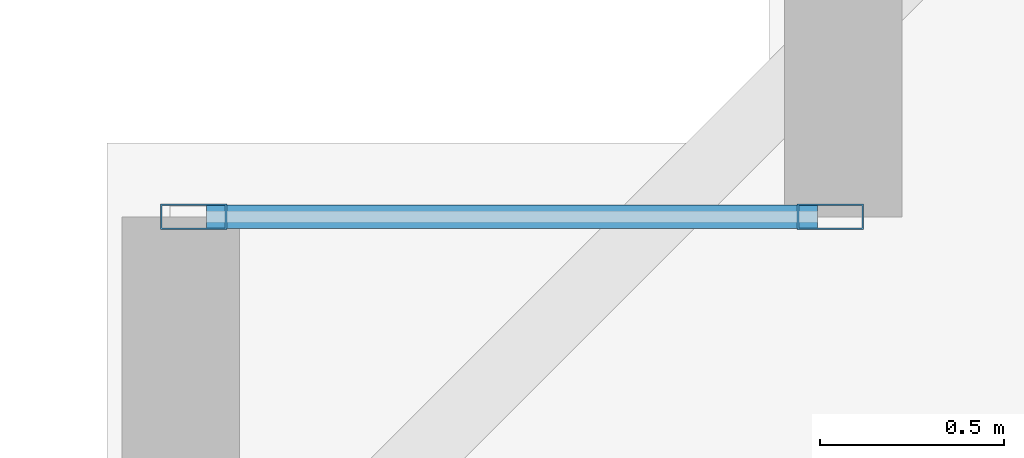
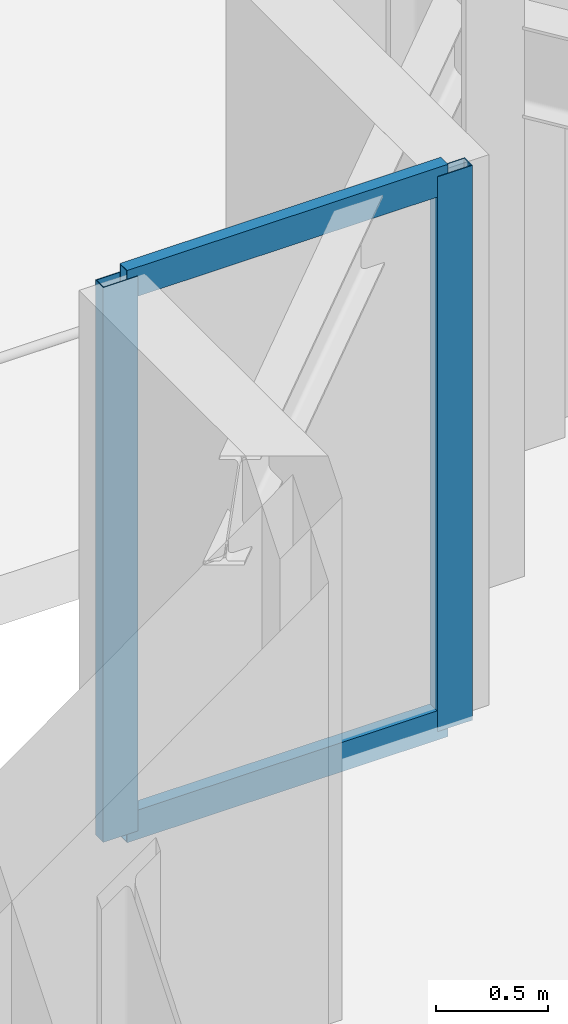
# One storey, part 6 of 21: 4 members, 1 element without a shape of its own.
"""IFC4 building model written with IfcOpenShell, lengths in metres."""

from ifc_helpers import new_model, si_unit, direction, frame, origin, origin_2d, place, context, subcontext, project, spatial, hollow_rectangle, extrude, material, layer, layer_set, material_profile, profile_set, type_object, element, aggregate, save


model = new_model("IFC4")

# Units and contexts
model_context = context("Model", 3, precision=1e-05, world=origin(), true_north=direction((0.0, 1.0)))
body_context = subcontext(model_context, "Body", "Model", "MODEL_VIEW")
ifc_project = project(units=[si_unit("LENGTHUNIT", "METRE"), si_unit("AREAUNIT", "SQUARE_METRE"), si_unit("VOLUMEUNIT", "CUBIC_METRE"), si_unit("PLANEANGLEUNIT", "RADIAN"), si_unit("MASSUNIT", "GRAM", prefix="KILO")], contexts=[model_context])

# Site, building, storey
site_placement = place(None, origin())
site = spatial("IfcSite", under=ifc_project, at=site_placement, CompositionType="ELEMENT")
building_placement = place(site_placement, origin())
building = spatial("IfcBuilding", under=site, at=building_placement, Name="Qobustan Lattice House", CompositionType="ELEMENT")
storey_placement = place(building_placement, frame((0.0, 0.0, 27.0)))
storey = spatial("IfcBuildingStorey", under=building, at=storey_placement, Name="L06", CompositionType="ELEMENT", Elevation=27.0)

# Curtain wall, members
ifc_material_1 = material(Name="Anodised aluminium and low-E glazing", Category="aluminium")
ifc_layer = layer(ifc_material_1, 0.219970703125)
ifc_layer_set = layer_set([ifc_layer], Name="Anodised aluminium and low-E glazing")
curtain_wall_type = type_object("IfcCurtainWallType", Name="CW-FAC-01", PredefinedType="USERDEFINED", material=ifc_layer_set)
curtain_wall_placement = place(storey_placement, origin())
curtain_wall = element("IfcCurtainWall", 1, at=curtain_wall_placement, inside=storey, type_object=curtain_wall_type, Name="L06 serrated corner faceted glazing 8", ObjectType="CURTAIN WALL", PredefinedType="USERDEFINED")
ifc_material_2 = material(Name="Anodised aluminium EN AW-6063 T6", Category="aluminium")
ifc_material_profile_1 = material_profile(ifc_material_2, hollow_rectangle(XDim=0.070068359375, YDim=0.179931640625, WallThickness=0.00439453125, at=origin_2d()), Name="CWM-180x70")
ifc_profile_set_1 = profile_set([ifc_material_profile_1], Name="Anodised aluminium EN AW-6063 T6")
member_type_1 = type_object("IfcMemberType", Name="CWM-STD-180", PredefinedType="MULLION", material=ifc_profile_set_1)
member_1_placement = place(storey_placement, frame((-30.965087890625, 17.60009765625, 0.0), z_axis=(0.0, 0.0, 1.0), x_axis=(0.0, 1.0, 0.0)))
member_1 = element("IfcMember", 2, at=member_1_placement, type_object=member_type_1, Name="CW-F1 mullion 1", PredefinedType="MULLION", context=body_context, shape_type="SweptSolid", body=[
    extrude(hollow_rectangle(XDim=0.070068359375, YDim=0.179931640625, WallThickness=0.00439453125, at=origin_2d()), origin(), (0.0, 0.0, 1.0), 3.034912109375),
])
member_2_placement = place(storey_placement, frame((-29.235107421875, 17.60009765625, 0.0), z_axis=(0.0, 0.0, 1.0), x_axis=(0.0, 1.0, 0.0)))
member_2 = element("IfcMember", 3, at=member_2_placement, type_object=member_type_1, Name="CW-F1 mullion 2", PredefinedType="MULLION", context=body_context, shape_type="SweptSolid", body=[
    extrude(hollow_rectangle(XDim=0.070068359375, YDim=0.179931640625, WallThickness=0.00439453125, at=origin_2d()), origin(), (0.0, 0.0, 1.0), 3.034912109375),
])
ifc_material_3 = material(Name="Anodised aluminium EN AW-6063 T6", Category="aluminium")
ifc_material_profile_2 = material_profile(ifc_material_3, hollow_rectangle(XDim=0.06494140625, YDim=0.159912109375, WallThickness=0.00390625, at=origin_2d()), Name="CWT-160x65")
ifc_profile_set_2 = profile_set([ifc_material_profile_2], Name="Anodised aluminium EN AW-6063 T6")
member_type_2 = type_object("IfcMemberType", Name="CWT-HOR-160", PredefinedType="USERDEFINED", material=ifc_profile_set_2)
member_3_placement = place(storey_placement, frame((-30.929931640625, 17.60009765625, 0.032470703125), z_axis=(1.0, 0.0, 0.0), x_axis=(0.0, 1.0, 0.0)))
member_3 = element("IfcMember", 4, at=member_3_placement, type_object=member_type_2, Name="CW-F1 transom 1.1", ObjectType="TRANSOM", PredefinedType="USERDEFINED", context=body_context, shape_type="SweptSolid", body=[
    extrude(hollow_rectangle(XDim=0.06494140625, YDim=0.159912109375, WallThickness=0.00390625, at=origin_2d()), origin(), (0.0, 0.0, 1.0), 1.659912109375),
])
member_4_placement = place(storey_placement, frame((-30.929931640625, 17.60009765625, 3.00244140625), z_axis=(1.0, 0.0, 0.0), x_axis=(0.0, 1.0, 0.0)))
member_4 = element("IfcMember", 5, at=member_4_placement, type_object=member_type_2, Name="CW-F1 transom 1.2", ObjectType="TRANSOM", PredefinedType="USERDEFINED", context=body_context, shape_type="SweptSolid", body=[
    extrude(hollow_rectangle(XDim=0.06494140625, YDim=0.159912109375, WallThickness=0.00390625, at=origin_2d()), origin(), (0.0, 0.0, 1.0), 1.659912109375),
])
aggregate(curtain_wall, [member_1, member_2, member_3, member_4])

save(model, "model.ifc")
